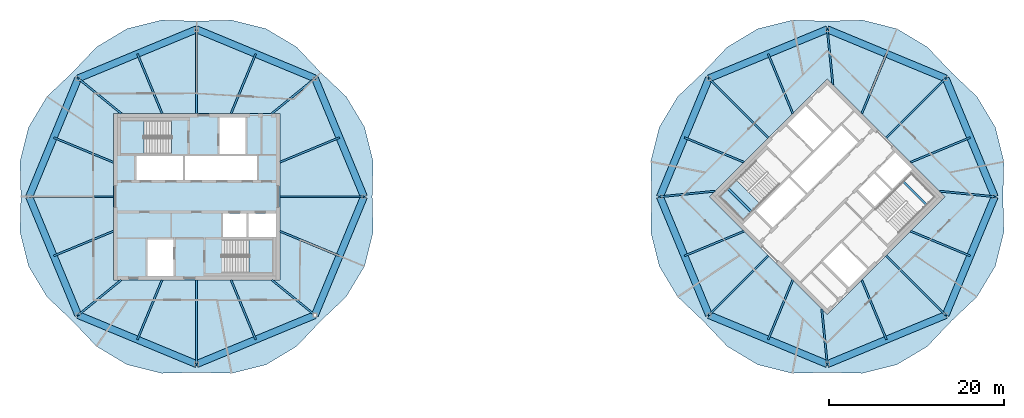
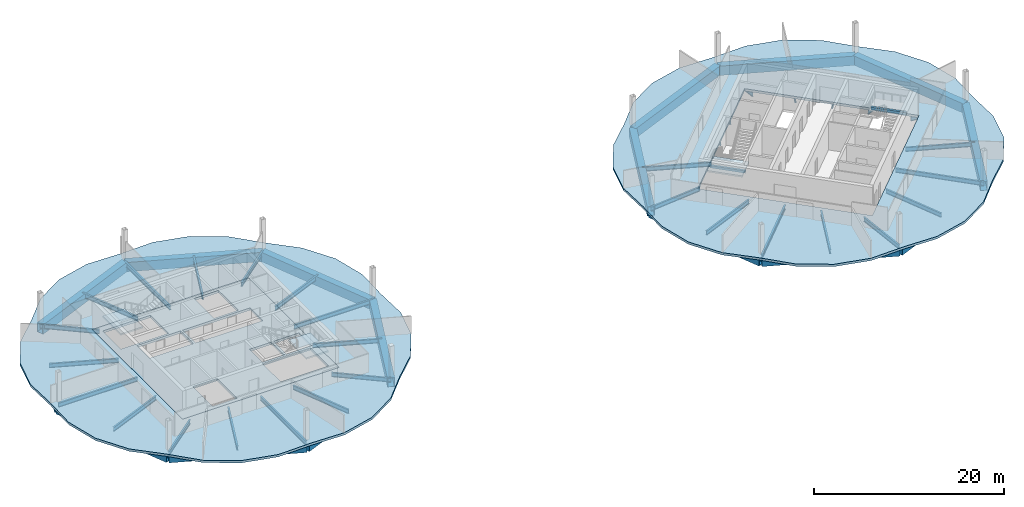
# One storey, part 3 of 10: 50 beams, 6 slabs, 3 elements without a shape of their own.
"""IFC4 building model written with IfcOpenShell, lengths in metres."""

import ifcopenshell
import ifcopenshell.guid

model = None  # the IFC model being written
_history = None  # IfcOwnerHistory: only IFC2X3 demands one
_inside = {}  # id of a spatial element -> (the spatial element, [elements in it])
_under = {}  # id of a project, library or spatial element -> (it, [spatial elements below it])
_declared = {}  # id of a project -> (the project, [libraries it declares])
_typed = {}  # id of a type object -> (the type object, [elements of that type])
_made_of = {}  # id of a material, layer set ... -> (it, [elements and type objects made of it])


def new_model(schema):
    """Start an empty IFC model of exactly this schema.

    Asked for "IFC4X3", IfcOpenShell would pick the latest addendum, in which some entities
    have other attributes; the version numbers below select the first issue.
    IFC2X3 requires an IfcOwnerHistory on every rooted entity: one is made here for all.
    """
    global model, _history
    if schema == "IFC4X3":
        model = ifcopenshell.file(schema_version=(4, 3, 0, 0))
    else:
        model = ifcopenshell.file(schema=schema)
    _inside.clear()
    _under.clear()
    _declared.clear()
    _typed.clear()
    _made_of.clear()
    _history = None
    if model.schema == "IFC2X3":
        org = make("IfcOrganization", Name="unknown")
        user = make(
            "IfcPersonAndOrganization",
            ThePerson=make("IfcPerson", FamilyName="unknown"),
            TheOrganization=org,
        )
        app = make(
            "IfcApplication",
            ApplicationDeveloper=org,
            Version="unknown",
            ApplicationFullName="unknown",
            ApplicationIdentifier="unknown",
        )
        _history = make(
            "IfcOwnerHistory",
            OwningUser=user,
            OwningApplication=app,
            ChangeAction="ADDED",
            CreationDate=0,
        )
    return model


def make(cls, **values):
    """One entity of the class cls with the attributes given. An attribute that is None is left unset."""
    return model.create_entity(
        cls, **{name: value for name, value in values.items() if value is not None}
    )


def rooted(cls, **values):
    """An entity with a GlobalId (a new one), such as an element, a storey or a relation."""
    return make(cls, GlobalId=ifcopenshell.guid.new(), OwnerHistory=_history, **values)


def si_unit(unit_type, name, prefix=None):
    """IfcSIUnit, for example si_unit("LENGTHUNIT", "METRE", prefix="MILLI")."""
    return make("IfcSIUnit", UnitType=unit_type, Prefix=prefix, Name=name)


def assignment(units):
    """IfcUnitAssignment: the units of a project."""
    return None if units is None else make("IfcUnitAssignment", Units=units)


def point(xyz):
    """IfcCartesianPoint."""
    return None if xyz is None else make("IfcCartesianPoint", Coordinates=xyz)


def direction(xyz):
    """IfcDirection."""
    return None if xyz is None else make("IfcDirection", DirectionRatios=xyz)


def frame(location, z_axis=None, x_axis=None):
    """IfcAxis2Placement3D, a coordinate frame: its origin and axes. An axis left out is left unset."""
    return make(
        "IfcAxis2Placement3D",
        Location=point(location),
        Axis=direction(z_axis),
        RefDirection=direction(x_axis),
    )


def frame_2d(location, x_axis=None):
    """IfcAxis2Placement2D, a coordinate frame in the plane: its origin and x axis."""
    return make(
        "IfcAxis2Placement2D", Location=point(location), RefDirection=direction(x_axis)
    )


def origin():
    """The frame at (0, 0, 0) with its axes left unset."""
    return frame((0.0, 0.0, 0.0))


def origin_2d():
    """The frame at (0, 0) in the plane with its x axis left unset."""
    return frame_2d((0.0, 0.0))


def place(relative_to, where):
    """IfcLocalPlacement: puts the frame where relative to a parent placement (None: the world)."""
    return make(
        "IfcLocalPlacement", PlacementRelTo=relative_to, RelativePlacement=where
    )


def context(
    kind, dimensions, precision=None, world=None, true_north=None, identifier=None
):
    """IfcGeometricRepresentationContext, for example the 3D "Model" context."""
    return make(
        "IfcGeometricRepresentationContext",
        ContextIdentifier=identifier,
        ContextType=kind,
        CoordinateSpaceDimension=dimensions,
        Precision=precision,
        WorldCoordinateSystem=world,
        TrueNorth=true_north,
    )


def subcontext(parent, identifier, kind, view, scale=None):
    """IfcGeometricRepresentationSubContext, for example "Body" below "Model"."""
    return make(
        "IfcGeometricRepresentationSubContext",
        ContextIdentifier=identifier,
        ContextType=kind,
        ParentContext=parent,
        TargetScale=scale,
        TargetView=view,
    )


def project(units=None, contexts=None):
    """IfcProject with its units and contexts."""
    return rooted(
        "IfcProject",
        Name="project",
        RepresentationContexts=contexts,
        UnitsInContext=assignment(units),
    )


def spatial(cls, under=None, at=None, **own):
    """A site, building, storey or space (cls), placed at a placement, below another one or the project."""
    s = rooted(cls, ObjectPlacement=at, **own)
    if under is not None:
        _under.setdefault(under.id(), (under, []))[1].append(s)
    return s


def polyline(points):
    """IfcPolyline through the points."""
    return make("IfcPolyline", Points=[point(p) for p in points])


def profile(cls, at=None, kind="AREA", **sizes):
    """A parametric profile (cls). Its sizes go by their IFC names, for example OverallWidth=200.0."""
    return make(cls, ProfileType=kind, Position=at, **sizes)


def rectangle(**sizes):
    """IfcRectangleProfileDef."""
    return profile("IfcRectangleProfileDef", **sizes)


def hollow_rectangle(**sizes):
    """IfcRectangleHollowProfileDef."""
    return profile("IfcRectangleHollowProfileDef", **sizes)


def i_section(**sizes):
    """IfcIShapeProfileDef."""
    return profile("IfcIShapeProfileDef", **sizes)


def outline(outer, holes=None, kind="AREA"):
    """IfcArbitraryClosedProfileDef: a profile drawn as a closed curve; with holes, ...WithVoids."""
    if holes is None:
        return make("IfcArbitraryClosedProfileDef", ProfileType=kind, OuterCurve=outer)
    return make(
        "IfcArbitraryProfileDefWithVoids",
        ProfileType=kind,
        OuterCurve=outer,
        InnerCurves=holes,
    )


def extrude(swept, where, along, depth):
    """IfcExtrudedAreaSolid: the profile swept, set in the frame where, extruded along a direction by depth."""
    return make(
        "IfcExtrudedAreaSolid",
        SweptArea=swept,
        Position=where,
        ExtrudedDirection=direction(along),
        Depth=depth,
    )


def shape(context_of_items, identifier, shape_type, items):
    """IfcShapeRepresentation: the items that make up one representation, for example the "Body"."""
    return make(
        "IfcShapeRepresentation",
        ContextOfItems=context_of_items,
        RepresentationIdentifier=identifier,
        RepresentationType=shape_type,
        Items=items,
    )


def material(Name=None, Category=None):
    """IfcMaterial."""
    return make("IfcMaterial", Name=Name, Category=Category)


def layer(
    of_material, thickness, ventilated=None, Name=None, Category=None, Priority=None
):
    """IfcMaterialLayer: one layer of a wall or slab, of a material (None: an air gap)."""
    return make(
        "IfcMaterialLayer",
        Material=of_material,
        LayerThickness=thickness,
        IsVentilated=ventilated,
        Name=Name,
        Category=Category,
        Priority=Priority,
    )


def layer_set(layers, Name=None):
    """IfcMaterialLayerSet."""
    return make("IfcMaterialLayerSet", MaterialLayers=layers, LayerSetName=Name)


def material_profile(
    of_material, cross_section, Name=None, Category=None, Priority=None
):
    """IfcMaterialProfile: a cross section and its material."""
    return make(
        "IfcMaterialProfile",
        Name=Name,
        Material=of_material,
        Profile=cross_section,
        Priority=Priority,
        Category=Category,
    )


def profile_set(profiles, Name=None, composite=None):
    """IfcMaterialProfileSet."""
    return make(
        "IfcMaterialProfileSet",
        Name=Name,
        MaterialProfiles=profiles,
        CompositeProfile=composite,
    )


def made_of(thing, what):
    """Note that an element or type object is made of a material, layer set ...; save() writes the relation."""
    if what is not None:
        _made_of.setdefault(what.id(), (what, []))[1].append(thing)
    return thing


def type_object(cls, material=None, **own):
    """A type object (cls), such as IfcWallType, which elements share."""
    return made_of(rooted(cls, **own), material)


def element(
    cls,
    number,
    at=None,
    inside=None,
    cuts=None,
    type_object=None,
    material=None,
    context=None,
    identifier="Body",
    shape_type=None,
    held_by="IfcProductDefinitionShape",
    body=None,
    shapes=None,
    **own,
):
    """One element of the class cls, such as IfcWall. Its Tag is "e" and its number.

    at: its placement. inside: the storey or other place that contains it. cuts: it is an
    opening in that element (IfcRelVoidsElement). A single representation is given by context,
    identifier, shape_type and body (its items); several are given by shapes. held_by: the class
    of the entity that holds the representations. save() writes the other relations.
    """
    e = rooted(cls, Tag="e%d" % number, ObjectPlacement=at, **own)
    if body is not None:
        shapes = [shape(context, identifier, shape_type, body)]
    if shapes is not None:
        e.Representation = make(held_by, Representations=shapes)
    if inside is not None:
        _inside.setdefault(inside.id(), (inside, []))[1].append(e)
    if cuts is not None:
        rooted(
            "IfcRelVoidsElement", RelatingBuildingElement=cuts, RelatedOpeningElement=e
        )
    if type_object is not None:
        _typed.setdefault(type_object.id(), (type_object, []))[1].append(e)
    return made_of(e, material)


def aggregate(whole, parts):
    """IfcRelAggregates: a whole, such as a stair, and the parts it consists of."""
    return rooted("IfcRelAggregates", RelatingObject=whole, RelatedObjects=parts)


def save(model, path):
    """Write the relations noted so far, then the file.

    IfcRelAggregates (storeys below a building ...), IfcRelContainedInSpatialStructure (elements
    in a storey), IfcRelDefinesByType, IfcRelAssociatesMaterial and IfcRelDeclares: one each for
    every whole, place, type object, material and project.
    """
    for whole, parts in _under.values():
        aggregate(whole, parts)
    for where, things in _inside.values():
        rooted(
            "IfcRelContainedInSpatialStructure",
            RelatedElements=things,
            RelatingStructure=where,
        )
    for kind, things in _typed.values():
        rooted("IfcRelDefinesByType", RelatedObjects=things, RelatingType=kind)
    for what, things in _made_of.values():
        rooted("IfcRelAssociatesMaterial", RelatedObjects=things, RelatingMaterial=what)
    for by, libraries in _declared.values():
        rooted("IfcRelDeclares", RelatingContext=by, RelatedDefinitions=libraries)
    model.write(path)


model = new_model("IFC4")

# Units and contexts
model_context = context("Model", 3, precision=1e-05, world=origin(), true_north=direction((0.0, 1.0)))
body_context = subcontext(model_context, "Body", "Model", "MODEL_VIEW")
ifc_project = project(units=[si_unit("LENGTHUNIT", "METRE"), si_unit("AREAUNIT", "SQUARE_METRE"), si_unit("VOLUMEUNIT", "CUBIC_METRE"), si_unit("PLANEANGLEUNIT", "RADIAN"), si_unit("MASSUNIT", "GRAM", prefix="KILO")], contexts=[model_context])

# Site, building, storey
site_placement = place(None, origin())
site = spatial("IfcSite", under=ifc_project, at=site_placement, CompositionType="ELEMENT")
building_placement = place(site_placement, origin())
building = spatial("IfcBuilding", under=site, at=building_placement, Name="Ogive Gate Towers", CompositionType="ELEMENT")
storey_placement = place(building_placement, frame((0.0, 0.0, 236.699951171875)))
storey = spatial("IfcBuildingStorey", under=building, at=storey_placement, Name="L56", CompositionType="ELEMENT", Elevation=236.699951171875)

# Beams
ifc_material_1 = material(Name="Steel SM460", Category="steel")
ifc_material_profile_1 = material_profile(ifc_material_1, hollow_rectangle(XDim=0.800048828125, YDim=1.199951171875, WallThickness=0.050048828125, at=origin_2d()), Name="BX 1200x800x50")
ifc_profile_set_1 = profile_set([ifc_material_profile_1], Name="Steel SM460")
beam_type_1 = type_object("IfcBeamType", Name="Edge girder BX 1200x800x50", PredefinedType="BEAM", material=ifc_profile_set_1)
for number, where, z_axis, x_axis, name in (
    (1, (-49.5126953125, -13.5126953125, -0.89990234375), (0.923872994947, -0.38269921506, 0.0), (0.38269921506, 0.923872994947, 0.0), "T1/L56/SBM017"),
    (2, (-36.0, -19.110107421875, -0.89990234375), (0.923872994947, 0.38269921506, 0.0), (-0.38269921506, 0.923872994947, 0.0), "T1/L56/SBM018"),
    (3, (-22.4873046875, -13.5126953125, -0.89990234375), (0.38269921506, 0.923872994947, 0.0), (-0.923872994947, 0.38269921506, 0.0), "T1/L56/SBM019"),
    (4, (-16.889892578125, 0.0, -0.89990234375), (-0.38269921506, 0.923872994947, 0.0), (-0.923872994947, -0.38269921506, 0.0), "T1/L56/SBM020"),
    (5, (-22.4873046875, 13.5126953125, -0.89990234375), (-0.923872994947, 0.38269921506, 0.0), (-0.38269921506, -0.923872994947, 0.0), "T1/L56/SBM021"),
    (6, (-36.0, 19.110107421875, -0.89990234375), (-0.923872994947, -0.38269921506, 0.0), (0.38269921506, -0.923872994947, 0.0), "T1/L56/SBM022"),
    (7, (-49.5126953125, 13.5126953125, -0.89990234375), (-0.38269921506, -0.923872994947, 0.0), (0.923872994947, -0.38269921506, 0.0), "T1/L56/SBM023"),
    (8, (-55.110107421875, 0.0, -0.89990234375), (0.38269921506, -0.923872994947, 0.0), (0.923872994947, 0.38269921506, 0.0), "T1/L56/SBM024"),
    (9, (22.4873046875, -13.5126953125, -0.89990234375), (0.923872994947, -0.38269921506, 0.0), (0.38269921506, 0.923872994947, 0.0), "T2/L56/SBM017"),
    (10, (36.0, -19.110107421875, -0.89990234375), (0.923872994947, 0.38269921506, 0.0), (-0.38269921506, 0.923872994947, 0.0), "T2/L56/SBM018"),
    (11, (49.5126953125, -13.5126953125, -0.89990234375), (0.38269921506, 0.923872994947, 0.0), (-0.923872994947, 0.38269921506, 0.0), "T2/L56/SBM019"),
    (12, (55.110107421875, 0.0, -0.89990234375), (-0.38269921506, 0.923872994947, 0.0), (-0.923872994947, -0.38269921506, 0.0), "T2/L56/SBM020"),
    (13, (49.5126953125, 13.5126953125, -0.89990234375), (-0.923872994947, 0.38269921506, 0.0), (-0.38269921506, -0.923872994947, 0.0), "T2/L56/SBM021"),
    (14, (36.0, 19.110107421875, -0.89990234375), (-0.923872994947, -0.38269921506, 0.0), (0.38269921506, -0.923872994947, 0.0), "T2/L56/SBM022"),
    (15, (22.4873046875, 13.5126953125, -0.89990234375), (-0.38269921506, -0.923872994947, 0.0), (0.923872994947, -0.38269921506, 0.0), "T2/L56/SBM023"),
    (16, (16.889892578125, 0.0, -0.89990234375), (0.38269921506, -0.923872994947, 0.0), (0.923872994947, 0.38269921506, 0.0), "T2/L56/SBM024"),
):
    element("IfcBeam", number, at=place(storey_placement, frame(where, z_axis=z_axis, x_axis=x_axis)), inside=storey, type_object=beam_type_1, Name=name, PredefinedType="BEAM", context=body_context, shape_type="SweptSolid", body=[
        extrude(hollow_rectangle(XDim=0.800048828125, YDim=1.199951171875, WallThickness=0.050048828125, at=origin_2d()), origin(), (0.0, 0.0, 1.0), 14.626220703125),
    ])
ifc_material_2 = material(Name="Concrete C40/50", Category="concrete")
ifc_material_profile_2 = material_profile(ifc_material_2, rectangle(XDim=0.25, YDim=0.300048828125, at=origin_2d()), Name="RC 250x300")
ifc_profile_set_2 = profile_set([ifc_material_profile_2], Name="Concrete C40/50")
beam_type_2 = type_object("IfcBeamType", Name="Landing bearer RC 250x300", PredefinedType="BEAM", material=ifc_profile_set_2)
for number, where, z_axis, x_axis, name in (
    (17, (24.650390625, 0.9541015625, 1.60009765625), (0.707106781187, -0.707106781187, 0.0), (0.707106781187, 0.707106781187, 0.0), "T2 L56 stair 1 landing bearer 1"),
    (18, (47.349609375, -0.9541015625, 1.60009765625), (-0.707106781187, 0.707106781187, 0.0), (-0.707106781187, -0.707106781187, 0.0), "T2 L56 stair 2 landing bearer 1"),
):
    element("IfcBeam", number, at=place(storey_placement, frame(where, z_axis=z_axis, x_axis=x_axis)), inside=storey, type_object=beam_type_2, Name=name, PredefinedType="BEAM", context=body_context, shape_type="SweptSolid", body=[
        extrude(rectangle(XDim=0.25, YDim=0.300048828125, at=origin_2d()), origin(), (0.0, 0.0, 1.0), 3.824951171875),
    ])
ifc_material_3 = material(Name="Steel SM355", Category="steel")
ifc_material_profile_3 = material_profile(ifc_material_3, i_section(OverallWidth=0.2099609375, OverallDepth=0.550048828125, WebThickness=0.010986328125, FlangeThickness=0.01708984375, FilletRadius=0.02392578125, at=origin_2d()), Name="IPE 550")
ifc_profile_set_3 = profile_set([ifc_material_profile_3], Name="Steel SM355")
beam_type_3 = type_object("IfcBeamType", Name="Radial floor beam IPE 550", PredefinedType="BEAM", material=ifc_profile_set_3)
beam_1_placement = place(storey_placement, frame((-44.60009765625, -9.5, -0.574951171875), z_axis=(-0.774474926523, -0.632604606517, 0.0), x_axis=(0.632604606517, -0.774474926523, 0.0)))
element("IfcBeam", 19, at=beam_1_placement, inside=storey, type_object=beam_type_3, Name="T1/L56/SBM001", PredefinedType="BEAM", context=body_context, shape_type="SweptSolid", body=[
    extrude(i_section(OverallWidth=0.2099609375, OverallDepth=0.550048828125, WebThickness=0.010986328125, FlangeThickness=0.01708984375, FilletRadius=0.02392578125, at=origin_2d()), origin(), (0.0, 0.0, 1.0), 6.343017578125),
])
beam_2_placement = place(storey_placement, frame((-39.93505859375, -9.5, -0.574951171875), z_axis=(-0.382667649558, -0.923886069806, 0.0), x_axis=(0.923886069806, -0.382667649558, 0.0)))
element("IfcBeam", 20, at=beam_2_placement, inside=storey, type_object=beam_type_3, Name="T1/L56/SBM002", PredefinedType="BEAM", context=body_context, shape_type="SweptSolid", body=[
    extrude(i_section(OverallWidth=0.2099609375, OverallDepth=0.550048828125, WebThickness=0.010986328125, FlangeThickness=0.01708984375, FilletRadius=0.02392578125, at=origin_2d()), origin(), (0.0, 0.0, 1.0), 7.372802734375),
])
beam_3_placement = place(storey_placement, frame((-36.0, -9.5, -0.574951171875), z_axis=(0.0, -1.0, 0.0), x_axis=(1.0, 0.0, 0.0)))
element("IfcBeam", 21, at=beam_3_placement, inside=storey, type_object=beam_type_3, Name="T1/L56/SBM003", PredefinedType="BEAM", context=body_context, shape_type="SweptSolid", body=[
    extrude(i_section(OverallWidth=0.2099609375, OverallDepth=0.550048828125, WebThickness=0.010986328125, FlangeThickness=0.01708984375, FilletRadius=0.02392578125, at=origin_2d()), origin(), (0.0, 0.0, 1.0), 9.610107421875),
])
beam_4_placement = place(storey_placement, frame((-32.06494140625, -9.5, -0.574951171875), z_axis=(0.382667649558, -0.923886069806, 0.0), x_axis=(0.923886069806, 0.382667649558, 0.0)))
element("IfcBeam", 22, at=beam_4_placement, inside=storey, type_object=beam_type_3, Name="T1/L56/SBM004", PredefinedType="BEAM", context=body_context, shape_type="SweptSolid", body=[
    extrude(i_section(OverallWidth=0.2099609375, OverallDepth=0.550048828125, WebThickness=0.010986328125, FlangeThickness=0.01708984375, FilletRadius=0.02392578125, at=origin_2d()), origin(), (0.0, 0.0, 1.0), 7.372802734375),
])
beam_5_placement = place(storey_placement, frame((-27.39990234375, -9.5, -0.574951171875), z_axis=(0.774474926523, -0.632604606517, 0.0), x_axis=(0.632604606517, 0.774474926523, 0.0)))
element("IfcBeam", 23, at=beam_5_placement, inside=storey, type_object=beam_type_3, Name="T1/L56/SBM005", PredefinedType="BEAM", context=body_context, shape_type="SweptSolid", body=[
    extrude(i_section(OverallWidth=0.2099609375, OverallDepth=0.550048828125, WebThickness=0.010986328125, FlangeThickness=0.01708984375, FilletRadius=0.02392578125, at=origin_2d()), origin(), (0.0, 0.0, 1.0), 6.343017578125),
])
beam_6_placement = place(storey_placement, frame((-26.5, -3.93505859375, -0.574951171875), z_axis=(0.923886069806, -0.382667649558, 0.0), x_axis=(0.382667649558, 0.923886069806, 0.0)))
element("IfcBeam", 24, at=beam_6_placement, inside=storey, type_object=beam_type_3, Name="T1/L56/SBM006", PredefinedType="BEAM", context=body_context, shape_type="SweptSolid", body=[
    extrude(i_section(OverallWidth=0.2099609375, OverallDepth=0.550048828125, WebThickness=0.010986328125, FlangeThickness=0.01708984375, FilletRadius=0.02392578125, at=origin_2d()), origin(), (0.0, 0.0, 1.0), 7.372802734375),
])
beam_7_placement = place(storey_placement, frame((-26.5, 0.0, -0.574951171875), z_axis=(1.0, 0.0, 0.0), x_axis=(0.0, 1.0, 0.0)))
element("IfcBeam", 25, at=beam_7_placement, inside=storey, type_object=beam_type_3, Name="T1/L56/SBM007", PredefinedType="BEAM", context=body_context, shape_type="SweptSolid", body=[
    extrude(i_section(OverallWidth=0.2099609375, OverallDepth=0.550048828125, WebThickness=0.010986328125, FlangeThickness=0.01708984375, FilletRadius=0.02392578125, at=origin_2d()), origin(), (0.0, 0.0, 1.0), 9.610107421875),
])
beam_8_placement = place(storey_placement, frame((-26.5, 3.93505859375, -0.574951171875), z_axis=(0.923886069806, 0.382667649558, 0.0), x_axis=(-0.382667649558, 0.923886069806, 0.0)))
element("IfcBeam", 26, at=beam_8_placement, inside=storey, type_object=beam_type_3, Name="T1/L56/SBM008", PredefinedType="BEAM", context=body_context, shape_type="SweptSolid", body=[
    extrude(i_section(OverallWidth=0.2099609375, OverallDepth=0.550048828125, WebThickness=0.010986328125, FlangeThickness=0.01708984375, FilletRadius=0.02392578125, at=origin_2d()), origin(), (0.0, 0.0, 1.0), 7.372802734375),
])
beam_9_placement = place(storey_placement, frame((-27.39990234375, 9.5, -0.574951171875), z_axis=(0.774474926523, 0.632604606517, 0.0), x_axis=(-0.632604606517, 0.774474926523, 0.0)))
element("IfcBeam", 27, at=beam_9_placement, inside=storey, type_object=beam_type_3, Name="T1/L56/SBM009", PredefinedType="BEAM", context=body_context, shape_type="SweptSolid", body=[
    extrude(i_section(OverallWidth=0.2099609375, OverallDepth=0.550048828125, WebThickness=0.010986328125, FlangeThickness=0.01708984375, FilletRadius=0.02392578125, at=origin_2d()), origin(), (0.0, 0.0, 1.0), 6.343017578125),
])
beam_10_placement = place(storey_placement, frame((-32.06494140625, 9.5, -0.574951171875), z_axis=(0.382667649558, 0.923886069806, 0.0), x_axis=(-0.923886069806, 0.382667649558, 0.0)))
element("IfcBeam", 28, at=beam_10_placement, inside=storey, type_object=beam_type_3, Name="T1/L56/SBM010", PredefinedType="BEAM", context=body_context, shape_type="SweptSolid", body=[
    extrude(i_section(OverallWidth=0.2099609375, OverallDepth=0.550048828125, WebThickness=0.010986328125, FlangeThickness=0.01708984375, FilletRadius=0.02392578125, at=origin_2d()), origin(), (0.0, 0.0, 1.0), 7.372802734375),
])
beam_11_placement = place(storey_placement, frame((-36.0, 9.5, -0.574951171875), z_axis=(0.0, 1.0, 0.0), x_axis=(-1.0, 0.0, 0.0)))
element("IfcBeam", 29, at=beam_11_placement, inside=storey, type_object=beam_type_3, Name="T1/L56/SBM011", PredefinedType="BEAM", context=body_context, shape_type="SweptSolid", body=[
    extrude(i_section(OverallWidth=0.2099609375, OverallDepth=0.550048828125, WebThickness=0.010986328125, FlangeThickness=0.01708984375, FilletRadius=0.02392578125, at=origin_2d()), origin(), (0.0, 0.0, 1.0), 9.610107421875),
])
beam_12_placement = place(storey_placement, frame((-39.93505859375, 9.5, -0.574951171875), z_axis=(-0.382667649558, 0.923886069806, 0.0), x_axis=(-0.923886069806, -0.382667649558, 0.0)))
element("IfcBeam", 30, at=beam_12_placement, inside=storey, type_object=beam_type_3, Name="T1/L56/SBM012", PredefinedType="BEAM", context=body_context, shape_type="SweptSolid", body=[
    extrude(i_section(OverallWidth=0.2099609375, OverallDepth=0.550048828125, WebThickness=0.010986328125, FlangeThickness=0.01708984375, FilletRadius=0.02392578125, at=origin_2d()), origin(), (0.0, 0.0, 1.0), 7.372802734375),
])
beam_13_placement = place(storey_placement, frame((-44.60009765625, 9.5, -0.574951171875), z_axis=(-0.774474926523, 0.632604606517, 0.0), x_axis=(-0.632604606517, -0.774474926523, 0.0)))
element("IfcBeam", 31, at=beam_13_placement, inside=storey, type_object=beam_type_3, Name="T1/L56/SBM013", PredefinedType="BEAM", context=body_context, shape_type="SweptSolid", body=[
    extrude(i_section(OverallWidth=0.2099609375, OverallDepth=0.550048828125, WebThickness=0.010986328125, FlangeThickness=0.01708984375, FilletRadius=0.02392578125, at=origin_2d()), origin(), (0.0, 0.0, 1.0), 6.343017578125),
])
beam_14_placement = place(storey_placement, frame((-45.5, 3.93505859375, -0.574951171875), z_axis=(-0.923886069806, 0.382667649558, 0.0), x_axis=(-0.382667649558, -0.923886069806, 0.0)))
element("IfcBeam", 32, at=beam_14_placement, inside=storey, type_object=beam_type_3, Name="T1/L56/SBM014", PredefinedType="BEAM", context=body_context, shape_type="SweptSolid", body=[
    extrude(i_section(OverallWidth=0.2099609375, OverallDepth=0.550048828125, WebThickness=0.010986328125, FlangeThickness=0.01708984375, FilletRadius=0.02392578125, at=origin_2d()), origin(), (0.0, 0.0, 1.0), 7.372802734375),
])
beam_15_placement = place(storey_placement, frame((-45.5, 0.0, -0.574951171875), z_axis=(-1.0, 0.0, 0.0), x_axis=(0.0, -1.0, 0.0)))
element("IfcBeam", 33, at=beam_15_placement, inside=storey, type_object=beam_type_3, Name="T1/L56/SBM015", PredefinedType="BEAM", context=body_context, shape_type="SweptSolid", body=[
    extrude(i_section(OverallWidth=0.2099609375, OverallDepth=0.550048828125, WebThickness=0.010986328125, FlangeThickness=0.01708984375, FilletRadius=0.02392578125, at=origin_2d()), origin(), (0.0, 0.0, 1.0), 9.610107421875),
])
beam_16_placement = place(storey_placement, frame((-45.5, -3.93505859375, -0.574951171875), z_axis=(-0.923886069806, -0.382667649558, 0.0), x_axis=(0.382667649558, -0.923886069806, 0.0)))
element("IfcBeam", 34, at=beam_16_placement, inside=storey, type_object=beam_type_3, Name="T1/L56/SBM016", PredefinedType="BEAM", context=body_context, shape_type="SweptSolid", body=[
    extrude(i_section(OverallWidth=0.2099609375, OverallDepth=0.550048828125, WebThickness=0.010986328125, FlangeThickness=0.01708984375, FilletRadius=0.02392578125, at=origin_2d()), origin(), (0.0, 0.0, 1.0), 7.372802734375),
])
beam_17_placement = place(storey_placement, frame((29.282470703125, -6.717529296875, -0.574951171875), z_axis=(-0.707106781187, -0.707106781187, 0.0), x_axis=(0.707106781187, -0.707106781187, 0.0)))
element("IfcBeam", 35, at=beam_17_placement, inside=storey, type_object=beam_type_3, Name="T2/L56/SBM001", PredefinedType="BEAM", context=body_context, shape_type="SweptSolid", body=[
    extrude(i_section(OverallWidth=0.2099609375, OverallDepth=0.550048828125, WebThickness=0.010986328125, FlangeThickness=0.01708984375, FilletRadius=0.02392578125, at=origin_2d()), origin(), (0.0, 0.0, 1.0), 9.60986328125),
])
beam_18_placement = place(storey_placement, frame((32.06494140625, -9.5, -0.574951171875), z_axis=(-0.382667649558, -0.923886069806, 0.0), x_axis=(0.923886069806, -0.382667649558, 0.0)))
element("IfcBeam", 36, at=beam_18_placement, inside=storey, type_object=beam_type_3, Name="T2/L56/SBM002", PredefinedType="BEAM", context=body_context, shape_type="SweptSolid", body=[
    extrude(i_section(OverallWidth=0.2099609375, OverallDepth=0.550048828125, WebThickness=0.010986328125, FlangeThickness=0.01708984375, FilletRadius=0.02392578125, at=origin_2d()), origin(), (0.0, 0.0, 1.0), 7.372802734375),
])
beam_19_placement = place(storey_placement, frame((35.363525390625, -12.798583984375, -0.574951171875), z_axis=(0.100334383706, -0.994953773522, 0.0), x_axis=(0.994953773522, 0.100334383706, 0.0)))
element("IfcBeam", 37, at=beam_19_placement, inside=storey, type_object=beam_type_3, Name="T2/L56/SBM003", PredefinedType="BEAM", context=body_context, shape_type="SweptSolid", body=[
    extrude(i_section(OverallWidth=0.2099609375, OverallDepth=0.550048828125, WebThickness=0.010986328125, FlangeThickness=0.01708984375, FilletRadius=0.02392578125, at=origin_2d()), origin(), (0.0, 0.0, 1.0), 6.343505859375),
])
beam_20_placement = place(storey_placement, frame((39.93505859375, -9.5, -0.574951171875), z_axis=(0.382667649558, -0.923886069806, 0.0), x_axis=(0.923886069806, 0.382667649558, 0.0)))
element("IfcBeam", 38, at=beam_20_placement, inside=storey, type_object=beam_type_3, Name="T2/L56/SBM004", PredefinedType="BEAM", context=body_context, shape_type="SweptSolid", body=[
    extrude(i_section(OverallWidth=0.2099609375, OverallDepth=0.550048828125, WebThickness=0.010986328125, FlangeThickness=0.01708984375, FilletRadius=0.02392578125, at=origin_2d()), origin(), (0.0, 0.0, 1.0), 7.372802734375),
])
beam_21_placement = place(storey_placement, frame((42.717529296875, -6.717529296875, -0.574951171875), z_axis=(0.707106781187, -0.707106781187, 0.0), x_axis=(0.707106781187, 0.707106781187, 0.0)))
element("IfcBeam", 39, at=beam_21_placement, inside=storey, type_object=beam_type_3, Name="T2/L56/SBM005", PredefinedType="BEAM", context=body_context, shape_type="SweptSolid", body=[
    extrude(i_section(OverallWidth=0.2099609375, OverallDepth=0.550048828125, WebThickness=0.010986328125, FlangeThickness=0.01708984375, FilletRadius=0.02392578125, at=origin_2d()), origin(), (0.0, 0.0, 1.0), 9.60986328125),
])
beam_22_placement = place(storey_placement, frame((45.5, -3.93505859375, -0.574951171875), z_axis=(0.923886069806, -0.382667649558, 0.0), x_axis=(0.382667649558, 0.923886069806, 0.0)))
element("IfcBeam", 40, at=beam_22_placement, inside=storey, type_object=beam_type_3, Name="T2/L56/SBM006", PredefinedType="BEAM", context=body_context, shape_type="SweptSolid", body=[
    extrude(i_section(OverallWidth=0.2099609375, OverallDepth=0.550048828125, WebThickness=0.010986328125, FlangeThickness=0.01708984375, FilletRadius=0.02392578125, at=origin_2d()), origin(), (0.0, 0.0, 1.0), 7.372802734375),
])
beam_23_placement = place(storey_placement, frame((48.798583984375, 0.636474609375, -0.574951171875), z_axis=(0.994953773522, -0.100334383706, 0.0), x_axis=(0.100334383706, 0.994953773522, 0.0)))
element("IfcBeam", 41, at=beam_23_placement, inside=storey, type_object=beam_type_3, Name="T2/L56/SBM007", PredefinedType="BEAM", context=body_context, shape_type="SweptSolid", body=[
    extrude(i_section(OverallWidth=0.2099609375, OverallDepth=0.550048828125, WebThickness=0.010986328125, FlangeThickness=0.01708984375, FilletRadius=0.02392578125, at=origin_2d()), origin(), (0.0, 0.0, 1.0), 6.343505859375),
])
beam_24_placement = place(storey_placement, frame((45.5, 3.93505859375, -0.574951171875), z_axis=(0.923886069806, 0.382667649558, 0.0), x_axis=(-0.382667649558, 0.923886069806, 0.0)))
element("IfcBeam", 42, at=beam_24_placement, inside=storey, type_object=beam_type_3, Name="T2/L56/SBM008", PredefinedType="BEAM", context=body_context, shape_type="SweptSolid", body=[
    extrude(i_section(OverallWidth=0.2099609375, OverallDepth=0.550048828125, WebThickness=0.010986328125, FlangeThickness=0.01708984375, FilletRadius=0.02392578125, at=origin_2d()), origin(), (0.0, 0.0, 1.0), 7.372802734375),
])
beam_25_placement = place(storey_placement, frame((42.717529296875, 6.717529296875, -0.574951171875), z_axis=(0.707106781187, 0.707106781187, 0.0), x_axis=(-0.707106781187, 0.707106781187, 0.0)))
element("IfcBeam", 43, at=beam_25_placement, inside=storey, type_object=beam_type_3, Name="T2/L56/SBM009", PredefinedType="BEAM", context=body_context, shape_type="SweptSolid", body=[
    extrude(i_section(OverallWidth=0.2099609375, OverallDepth=0.550048828125, WebThickness=0.010986328125, FlangeThickness=0.01708984375, FilletRadius=0.02392578125, at=origin_2d()), origin(), (0.0, 0.0, 1.0), 9.60986328125),
])
beam_26_placement = place(storey_placement, frame((39.93505859375, 9.5, -0.574951171875), z_axis=(0.382667649558, 0.923886069806, 0.0), x_axis=(-0.923886069806, 0.382667649558, 0.0)))
element("IfcBeam", 44, at=beam_26_placement, inside=storey, type_object=beam_type_3, Name="T2/L56/SBM010", PredefinedType="BEAM", context=body_context, shape_type="SweptSolid", body=[
    extrude(i_section(OverallWidth=0.2099609375, OverallDepth=0.550048828125, WebThickness=0.010986328125, FlangeThickness=0.01708984375, FilletRadius=0.02392578125, at=origin_2d()), origin(), (0.0, 0.0, 1.0), 7.372802734375),
])
beam_27_placement = place(storey_placement, frame((36.636474609375, 12.798583984375, -0.574951171875), z_axis=(-0.100334383706, 0.994953773522, 0.0), x_axis=(-0.994953773522, -0.100334383706, 0.0)))
element("IfcBeam", 45, at=beam_27_placement, inside=storey, type_object=beam_type_3, Name="T2/L56/SBM011", PredefinedType="BEAM", context=body_context, shape_type="SweptSolid", body=[
    extrude(i_section(OverallWidth=0.2099609375, OverallDepth=0.550048828125, WebThickness=0.010986328125, FlangeThickness=0.01708984375, FilletRadius=0.02392578125, at=origin_2d()), origin(), (0.0, 0.0, 1.0), 6.343505859375),
])
beam_28_placement = place(storey_placement, frame((32.06494140625, 9.5, -0.574951171875), z_axis=(-0.382667649558, 0.923886069806, 0.0), x_axis=(-0.923886069806, -0.382667649558, 0.0)))
element("IfcBeam", 46, at=beam_28_placement, inside=storey, type_object=beam_type_3, Name="T2/L56/SBM012", PredefinedType="BEAM", context=body_context, shape_type="SweptSolid", body=[
    extrude(i_section(OverallWidth=0.2099609375, OverallDepth=0.550048828125, WebThickness=0.010986328125, FlangeThickness=0.01708984375, FilletRadius=0.02392578125, at=origin_2d()), origin(), (0.0, 0.0, 1.0), 7.372802734375),
])
beam_29_placement = place(storey_placement, frame((29.282470703125, 6.717529296875, -0.574951171875), z_axis=(-0.707106781187, 0.707106781187, 0.0), x_axis=(-0.707106781187, -0.707106781187, 0.0)))
element("IfcBeam", 47, at=beam_29_placement, inside=storey, type_object=beam_type_3, Name="T2/L56/SBM013", PredefinedType="BEAM", context=body_context, shape_type="SweptSolid", body=[
    extrude(i_section(OverallWidth=0.2099609375, OverallDepth=0.550048828125, WebThickness=0.010986328125, FlangeThickness=0.01708984375, FilletRadius=0.02392578125, at=origin_2d()), origin(), (0.0, 0.0, 1.0), 9.60986328125),
])
beam_30_placement = place(storey_placement, frame((26.5, 3.93505859375, -0.574951171875), z_axis=(-0.923886069806, 0.382667649558, 0.0), x_axis=(-0.382667649558, -0.923886069806, 0.0)))
element("IfcBeam", 48, at=beam_30_placement, inside=storey, type_object=beam_type_3, Name="T2/L56/SBM014", PredefinedType="BEAM", context=body_context, shape_type="SweptSolid", body=[
    extrude(i_section(OverallWidth=0.2099609375, OverallDepth=0.550048828125, WebThickness=0.010986328125, FlangeThickness=0.01708984375, FilletRadius=0.02392578125, at=origin_2d()), origin(), (0.0, 0.0, 1.0), 7.372802734375),
])
beam_31_placement = place(storey_placement, frame((23.201416015625, 0.636474609375, -0.574951171875), z_axis=(-0.994953773522, -0.100334383706, 0.0), x_axis=(0.100334383706, -0.994953773522, 0.0)))
element("IfcBeam", 49, at=beam_31_placement, inside=storey, type_object=beam_type_3, Name="T2/L56/SBM015", PredefinedType="BEAM", context=body_context, shape_type="SweptSolid", body=[
    extrude(i_section(OverallWidth=0.2099609375, OverallDepth=0.550048828125, WebThickness=0.010986328125, FlangeThickness=0.01708984375, FilletRadius=0.02392578125, at=origin_2d()), origin(), (0.0, 0.0, 1.0), 6.343505859375),
])
beam_32_placement = place(storey_placement, frame((26.5, -3.93505859375, -0.574951171875), z_axis=(-0.923886069806, -0.382667649558, 0.0), x_axis=(0.382667649558, -0.923886069806, 0.0)))
element("IfcBeam", 50, at=beam_32_placement, inside=storey, type_object=beam_type_3, Name="T2/L56/SBM016", PredefinedType="BEAM", context=body_context, shape_type="SweptSolid", body=[
    extrude(i_section(OverallWidth=0.2099609375, OverallDepth=0.550048828125, WebThickness=0.010986328125, FlangeThickness=0.01708984375, FilletRadius=0.02392578125, at=origin_2d()), origin(), (0.0, 0.0, 1.0), 7.372802734375),
])

# Slabs
ifc_layer_1 = layer(ifc_material_2, 0.300048828125)
ifc_layer_set_1 = layer_set([ifc_layer_1], Name="Core slab C40/50 300 mm")
slab_type_1 = type_object("IfcSlabType", Name="Core slab C40/50 300 mm", PredefinedType="FLOOR", material=ifc_layer_set_1)
slab_1_placement = place(storey_placement, frame((0.0, 0.0, -0.300048828125)))
element("IfcSlab", 51, at=slab_1_placement, inside=storey, type_object=slab_type_1, Name="T1 L56 core slab", PredefinedType="FLOOR", context=body_context, shape_type="SweptSolid", body=[
    extrude(outline(polyline([(-45.5, -9.5), (-45.5, 9.5), (-26.5, 9.5), (-26.5, -9.5), (-45.5, -9.5)]), holes=[polyline([(-42.875, 1.925048828125), (-37.574951171875, 1.925048828125), (-37.574951171875, 4.625), (-42.875, 4.625), (-42.875, 1.925048828125)]), polyline([(-37.324951171875, 4.625), (-37.324951171875, 1.925048828125), (-29.125, 1.925048828125), (-29.125, 4.625), (-37.324951171875, 4.625)]), polyline([(-30.324951171875, -1.925048828125), (-32.97509765625, -1.925048828125), (-32.97509765625, -4.625), (-30.324951171875, -4.625), (-30.324951171875, -1.925048828125)]), polyline([(-26.949951171875, -4.625), (-26.949951171875, -1.925048828125), (-30.074951171875, -1.925048828125), (-30.074951171875, -4.625), (-26.949951171875, -4.625)]), polyline([(-33.375, 4.875), (-30.425048828125, 4.875), (-30.425048828125, 9.050048828125), (-33.375, 9.050048828125), (-33.375, 4.875)]), polyline([(-41.574951171875, -4.875), (-41.574951171875, -9.050048828125), (-38.625, -9.050048828125), (-38.625, -4.875), (-41.574951171875, -4.875)]), polyline([(-44.699951171875, 4.875), (-38.885009765625, 4.875), (-38.885009765625, 8.699951171875), (-44.699951171875, 8.699951171875), (-44.699951171875, 4.875)]), polyline([(-27.300048828125, -8.699951171875), (-27.300048828125, -4.875), (-33.114990234375, -4.875), (-33.114990234375, -8.699951171875), (-27.300048828125, -8.699951171875)])]), origin(), (0.0, 0.0, 1.0), 0.300048828125),
])
ifc_material_4 = material(Name="Concrete C35/45", Category="concrete")
ifc_layer_2 = layer(ifc_material_4, 0.300048828125)
ifc_layer_set_2 = layer_set([ifc_layer_2], Name="Floor slab 300")
slab_type_2 = type_object("IfcSlabType", Name="Floor slab 300", PredefinedType="FLOOR", material=ifc_layer_set_2)
slab_2_placement = place(storey_placement, frame((0.0, 0.0, -0.300048828125)))
element("IfcSlab", 52, at=slab_2_placement, inside=storey, type_object=slab_type_2, Name="T1/L56/SSL001", PredefinedType="FLOOR", context=body_context, shape_type="SweptSolid", body=[
    extrude(outline(polyline([(-15.844970703125, -4.009033203125), (-15.949951171875, 0.0), (-15.844970703125, 4.009033203125), (-16.82958984375, 7.940673828125), (-18.913330078125, 11.4169921875), (-21.822509765625, 14.177490234375), (-24.5830078125, 17.086669921875), (-28.059326171875, 19.17041015625), (-31.990966796875, 20.155029296875), (-36.0, 20.050048828125), (-40.009033203125, 20.155029296875), (-43.940673828125, 19.17041015625), (-47.4169921875, 17.086669921875), (-50.177490234375, 14.177490234375), (-53.086669921875, 11.4169921875), (-55.17041015625, 7.940673828125), (-56.155029296875, 4.009033203125), (-56.050048828125, 0.0), (-56.155029296875, -4.009033203125), (-55.17041015625, -7.940673828125), (-53.086669921875, -11.4169921875), (-50.177490234375, -14.177490234375), (-47.4169921875, -17.086669921875), (-43.940673828125, -19.17041015625), (-40.009033203125, -20.155029296875), (-36.0, -20.050048828125), (-31.990966796875, -20.155029296875), (-28.059326171875, -19.17041015625), (-24.5830078125, -17.086669921875), (-21.822509765625, -14.177490234375), (-18.913330078125, -11.4169921875), (-16.82958984375, -7.940673828125), (-15.844970703125, -4.009033203125)]), holes=[polyline([(-26.5, -9.5), (-45.5, -9.5), (-45.5, 9.5), (-26.5, 9.5), (-26.5, -9.5)])]), origin(), (0.0, 0.0, 1.0), 0.300048828125),
])
slab_3_placement = place(storey_placement, frame((0.0, 0.0, -0.300048828125)))
element("IfcSlab", 53, at=slab_3_placement, inside=storey, type_object=slab_type_2, Name="T2/L56/SSL001", PredefinedType="FLOOR", context=body_context, shape_type="SweptSolid", body=[
    extrude(outline(polyline([(56.155029296875, -4.009033203125), (56.050048828125, 0.0), (56.155029296875, 4.009033203125), (55.17041015625, 7.940673828125), (53.086669921875, 11.4169921875), (50.177490234375, 14.177490234375), (47.4169921875, 17.086669921875), (43.940673828125, 19.17041015625), (40.009033203125, 20.155029296875), (36.0, 20.050048828125), (31.990966796875, 20.155029296875), (28.059326171875, 19.17041015625), (24.5830078125, 17.086669921875), (21.822509765625, 14.177490234375), (18.913330078125, 11.4169921875), (16.82958984375, 7.940673828125), (15.844970703125, 4.009033203125), (15.949951171875, 0.0), (15.844970703125, -4.009033203125), (16.82958984375, -7.940673828125), (18.913330078125, -11.4169921875), (21.822509765625, -14.177490234375), (24.5830078125, -17.086669921875), (28.059326171875, -19.17041015625), (31.990966796875, -20.155029296875), (36.0, -20.050048828125), (40.009033203125, -20.155029296875), (43.940673828125, -19.17041015625), (47.4169921875, -17.086669921875), (50.177490234375, -14.177490234375), (53.086669921875, -11.4169921875), (55.17041015625, -7.940673828125), (56.155029296875, -4.009033203125)]), holes=[polyline([(49.43505859375, 0.0), (36.0, -13.43505859375), (22.56494140625, 0.0), (36.0, 13.43505859375), (49.43505859375, 0.0)])]), origin(), (0.0, 0.0, 1.0), 0.300048828125),
])

# Stair, slab
stair_type = type_object("IfcStairType", Name="Escape stair 1840 wide", PredefinedType="HALF_TURN_STAIR", material=ifc_material_2)
stair_1_placement = place(storey_placement, origin())
stair_1 = element("IfcStair", 54, at=stair_1_placement, inside=storey, type_object=stair_type, Name="L56 Escape stair 1", PredefinedType="HALF_TURN_STAIR")
ifc_layer_3 = layer(ifc_material_2, 0.199951171875)
ifc_layer_set_3 = layer_set([ifc_layer_3], Name="Stair landing 200 mm")
slab_type_3 = type_object("IfcSlabType", Name="Stair landing 200 mm", PredefinedType="LANDING", material=ifc_layer_set_3)
slab_4_placement = place(storey_placement, frame((0.0, 0.0, 1.75)))
slab_4 = element("IfcSlab", 55, at=slab_4_placement, type_object=slab_type_3, Name="ST1 landing 1", PredefinedType="LANDING", context=body_context, shape_type="SweptSolid", body=[
    extrude(outline(polyline([(-42.00146484375, 8.699951171875), (-44.699951171875, 8.699951171875), (-44.699951171875, 4.875), (-42.00146484375, 4.875), (-42.00146484375, 8.699951171875)])), origin(), (0.0, 0.0, 1.0), 0.199951171875),
])
aggregate(stair_1, [slab_4])

stair_2_placement = place(storey_placement, origin())
stair_2 = element("IfcStair", 56, at=stair_2_placement, inside=storey, type_object=stair_type, Name="L56 Escape stair 2", PredefinedType="HALF_TURN_STAIR")
slab_5_placement = place(storey_placement, frame((0.0, 0.0, 1.75)))
slab_5 = element("IfcSlab", 57, at=slab_5_placement, type_object=slab_type_3, Name="ST2 landing 1", PredefinedType="LANDING", context=body_context, shape_type="SweptSolid", body=[
    extrude(outline(polyline([(-29.99853515625, -8.699951171875), (-27.300048828125, -8.699951171875), (-27.300048828125, -4.875), (-29.99853515625, -4.875), (-29.99853515625, -8.699951171875)])), origin(), (0.0, 0.0, 1.0), 0.199951171875),
])
aggregate(stair_2, [slab_5])

stair_3_placement = place(storey_placement, origin())
stair_3 = element("IfcStair", 58, at=stair_3_placement, inside=storey, type_object=stair_type, Name="L56 Escape stair 1", PredefinedType="HALF_TURN_STAIR")
slab_6_placement = place(storey_placement, frame((0.0, 0.0, 1.75)))
slab_6 = element("IfcSlab", 59, at=slab_6_placement, type_object=slab_type_3, Name="ST1 landing 1", PredefinedType="LANDING", context=body_context, shape_type="SweptSolid", body=[
    extrude(outline(polyline([(25.6044921875, 1.908203125), (23.6962890625, 0.0), (26.401123046875, -2.70458984375), (28.309326171875, -0.79638671875), (25.6044921875, 1.908203125)])), origin(), (0.0, 0.0, 1.0), 0.199951171875),
])
aggregate(stair_3, [slab_6])

save(model, "model.ifc")
